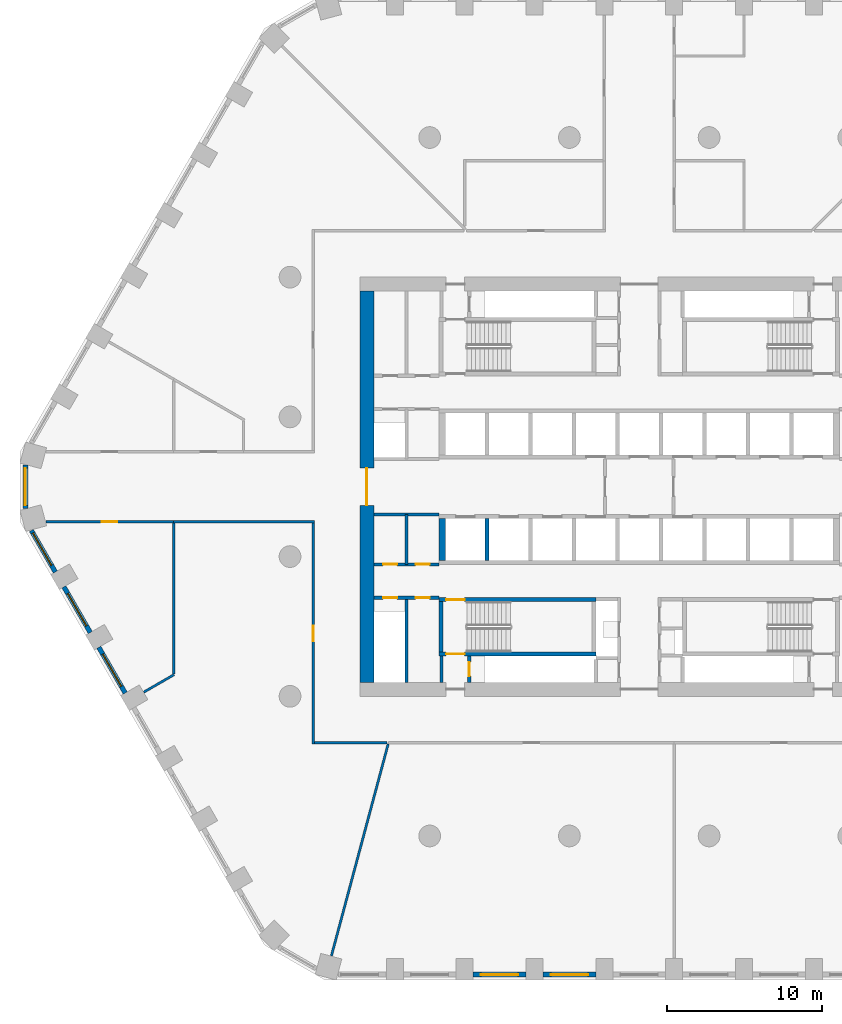
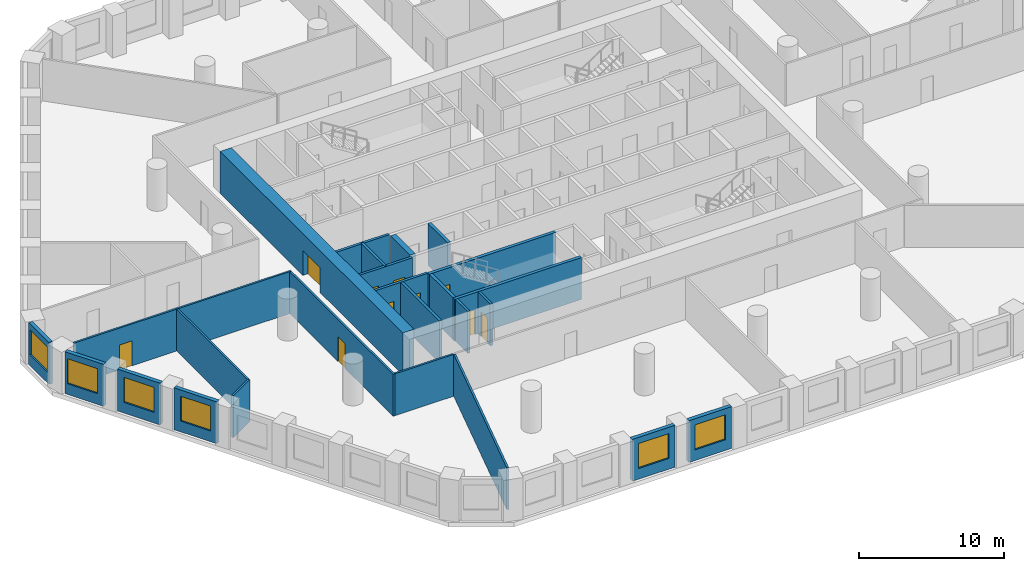
# One storey, part 2 of 10: 26 walls, 10 doors, 6 windows, 16 openings.
"""IFC4 building model written with IfcOpenShell, lengths in metres."""

from ifc_helpers import new_model, si_unit, direction, frame, frame_2d, origin, place, context, subcontext, project, spatial, polyline, rectangle, outline, extrude, material, layer, layer_set, type_object, element, fill, save


model = new_model("IFC4")

# Units and contexts
model_context = context("Model", 3, precision=1e-05, world=origin(), true_north=direction((0.0, 1.0)))
body_context = subcontext(model_context, "Body", "Model", "MODEL_VIEW")
ifc_project = project(units=[si_unit("LENGTHUNIT", "METRE"), si_unit("AREAUNIT", "SQUARE_METRE"), si_unit("VOLUMEUNIT", "CUBIC_METRE"), si_unit("PLANEANGLEUNIT", "RADIAN"), si_unit("MASSUNIT", "GRAM", prefix="KILO")], contexts=[model_context])

# Site, building, storey
site_placement = place(None, origin())
site = spatial("IfcSite", under=ifc_project, at=site_placement, CompositionType="ELEMENT")
building_placement = place(site_placement, origin())
building = spatial("IfcBuilding", under=site, at=building_placement, Name="Dhurran Vertical Campus", CompositionType="ELEMENT")
storey_placement = place(building_placement, frame((0.0, 0.0, 57.300048828125)))
storey = spatial("IfcBuildingStorey", under=building, at=storey_placement, Name="L13", CompositionType="ELEMENT", Elevation=57.300048828125)

# Wall, opening, window
ifc_material_1 = material(Name="Precast concrete C50/60", Category="concrete")
ifc_layer_1 = layer(ifc_material_1, 0.300048828125)
ifc_layer_set_1 = layer_set([ifc_layer_1], Name="Precast concrete C50/60")
wall_type_1 = type_object("IfcWallType", Name="Precast spandrel wall 300", PredefinedType="SOLIDWALL", material=ifc_layer_set_1)
wall_1_placement = place(storey_placement, frame((-10.699462890625, -31.4296875, 0.0), z_axis=(0.0, 0.0, 1.0), x_axis=(1.0, 0.0, 0.0)))
wall_1 = element("IfcWall", 1, at=wall_1_placement, inside=storey, type_object=wall_type_1, Name="EW1 L13.02", PredefinedType="SOLIDWALL", context=body_context, shape_type="SweptSolid", body=[
    extrude(rectangle(XDim=3.39892578125, YDim=0.300048828125, at=frame_2d((1.699462890625, 0.0))), origin(), (0.0, 0.0, 1.0), 3.52490234375),
])
opening_1_placement = place(wall_1_placement, frame((0.49951171875, 0.0, 0.89990234375)))
opening_1 = element("IfcOpeningElement", 2, at=opening_1_placement, cuts=wall_1, Name="Opening WT1", PredefinedType="OPENING", context=body_context, shape_type="SweptSolid", body=[
    extrude(rectangle(XDim=2.39990234375, YDim=2.10009765625, at=frame_2d((1.199951171875, 1.050048828125))), frame((0.0, 0.159912109375, 0.0), z_axis=(0.0, -1.0, 0.0), x_axis=(1.0, 0.0, 0.0)), (0.0, 0.0, 1.0), 0.320068359375),
])
ifc_material_2 = material(Name="Aluminium frame with solar-control glass", Category="aluminium")
window_type = type_object("IfcWindowType", Name="Punched window 2400 x 2100", PartitioningType="SINGLE_PANEL", PredefinedType="WINDOW", material=ifc_material_2)
window_1_placement = place(opening_1_placement, origin())
window_1 = element("IfcWindow", 3, at=window_1_placement, inside=storey, type_object=window_type, Name="WT1 L13.02", OverallHeight=2.10009765625, OverallWidth=2.39990234375, PartitioningType="SINGLE_PANEL", PredefinedType="WINDOW", context=body_context, shape_type="SweptSolid", body=[
    extrude(rectangle(XDim=2.39990234375, YDim=2.10009765625, at=frame_2d((1.199951171875, 1.050048828125))), frame((0.0, 0.030029296875, 0.0), z_axis=(0.0, -1.0, 0.0), x_axis=(1.0, 0.0, 0.0)), (0.0, 0.0, 1.0), 0.06005859375),
])
fill(opening_1, window_1)

wall_2_placement = place(storey_placement, frame((-6.199462890625, -31.4296875, 0.0), z_axis=(0.0, 0.0, 1.0), x_axis=(1.0, 0.0, 0.0)))
wall_2 = element("IfcWall", 4, at=wall_2_placement, inside=storey, type_object=wall_type_1, Name="EW1 L13.03", PredefinedType="SOLIDWALL", context=body_context, shape_type="SweptSolid", body=[
    extrude(rectangle(XDim=3.39892578125, YDim=0.300048828125, at=frame_2d((1.699462890625, 0.0))), origin(), (0.0, 0.0, 1.0), 3.52490234375),
])
opening_2_placement = place(wall_2_placement, frame((0.49951171875, 0.0, 0.89990234375)))
opening_2 = element("IfcOpeningElement", 5, at=opening_2_placement, cuts=wall_2, Name="Opening WT1", PredefinedType="OPENING", context=body_context, shape_type="SweptSolid", body=[
    extrude(rectangle(XDim=2.39990234375, YDim=2.10009765625, at=frame_2d((1.199951171875, 1.050048828125))), frame((0.0, 0.159912109375, 0.0), z_axis=(0.0, -1.0, 0.0), x_axis=(1.0, 0.0, 0.0)), (0.0, 0.0, 1.0), 0.320068359375),
])
window_2_placement = place(opening_2_placement, origin())
window_2 = element("IfcWindow", 6, at=window_2_placement, inside=storey, type_object=window_type, Name="WT1 L13.03", OverallHeight=2.10009765625, OverallWidth=2.39990234375, PartitioningType="SINGLE_PANEL", PredefinedType="WINDOW", context=body_context, shape_type="SweptSolid", body=[
    extrude(rectangle(XDim=2.39990234375, YDim=2.10009765625, at=frame_2d((1.199951171875, 1.050048828125))), frame((0.0, 0.030029296875, 0.0), z_axis=(0.0, -1.0, 0.0), x_axis=(1.0, 0.0, 0.0)), (0.0, 0.0, 1.0), 0.06005859375),
])
fill(opening_2, window_2)

wall_3_placement = place(storey_placement, frame((-39.547119140625, 1.39111328125, 0.0), z_axis=(0.0, 0.0, 1.0), x_axis=(0.0, -1.0, 0.0)))
wall_3 = element("IfcWall", 7, at=wall_3_placement, inside=storey, type_object=wall_type_1, Name="EW1 L13.43", PredefinedType="SOLIDWALL", context=body_context, shape_type="SweptSolid", body=[
    extrude(rectangle(XDim=2.7822265625, YDim=0.300048828125, at=frame_2d((1.39111328125, 0.0))), origin(), (0.0, 0.0, 1.0), 3.52490234375),
])
opening_3_placement = place(wall_3_placement, frame((0.191162109375, 0.0, 0.89990234375)))
opening_3 = element("IfcOpeningElement", 8, at=opening_3_placement, cuts=wall_3, Name="Opening WT1", PredefinedType="OPENING", context=body_context, shape_type="SweptSolid", body=[
    extrude(rectangle(XDim=2.39990234375, YDim=2.10009765625, at=frame_2d((1.199951171875, 1.050048828125))), frame((0.0, 0.159912109375, 0.0), z_axis=(0.0, -1.0, 0.0), x_axis=(1.0, 0.0, 0.0)), (0.0, 0.0, 1.0), 0.320068359375),
])
window_3_placement = place(opening_3_placement, origin())
window_3 = element("IfcWindow", 9, at=window_3_placement, inside=storey, type_object=window_type, Name="WT1 L13.43", OverallHeight=2.10009765625, OverallWidth=2.39990234375, PartitioningType="SINGLE_PANEL", PredefinedType="WINDOW", context=body_context, shape_type="SweptSolid", body=[
    extrude(rectangle(XDim=2.39990234375, YDim=2.10009765625, at=frame_2d((1.199951171875, 1.050048828125))), frame((0.0, 0.030029296875, 0.0), z_axis=(0.0, -1.0, 0.0), x_axis=(1.0, 0.0, 0.0)), (0.0, 0.0, 1.0), 0.06005859375),
])
fill(opening_3, window_3)

wall_4_placement = place(storey_placement, frame((-39.16455078125, -2.81884765625, 0.0), z_axis=(0.0, 0.0, 1.0), x_axis=(0.49997090907, -0.866042198789, 0.0)))
wall_4 = element("IfcWall", 10, at=wall_4_placement, inside=storey, type_object=wall_type_1, Name="EW1 L13.44", PredefinedType="SOLIDWALL", context=body_context, shape_type="SweptSolid", body=[
    extrude(rectangle(XDim=3.090576171875, YDim=0.300048828125, at=frame_2d((1.54541015625, 0.0))), origin(), (0.0, 0.0, 1.0), 3.52490234375),
])
opening_4_placement = place(wall_4_placement, frame((0.19091796875, 0.0, 0.89990234375)))
opening_4 = element("IfcOpeningElement", 11, at=opening_4_placement, cuts=wall_4, Name="Opening WT1", PredefinedType="OPENING", context=body_context, shape_type="SweptSolid", body=[
    extrude(rectangle(XDim=2.39990234375, YDim=2.10009765625, at=frame_2d((1.199951171875, 1.050048828125))), frame((0.0, 0.159912109375, 0.0), z_axis=(0.0, -1.0, 0.0), x_axis=(1.0, 0.0, 0.0)), (0.0, 0.0, 1.0), 0.320068359375),
])
window_4_placement = place(opening_4_placement, origin())
window_4 = element("IfcWindow", 12, at=window_4_placement, inside=storey, type_object=window_type, Name="WT1 L13.44", OverallHeight=2.10009765625, OverallWidth=2.39990234375, PartitioningType="SINGLE_PANEL", PredefinedType="WINDOW", context=body_context, shape_type="SweptSolid", body=[
    extrude(rectangle(XDim=2.39990234375, YDim=2.10009765625, at=frame_2d((1.199951171875, 1.050048828125))), frame((0.0, 0.030029296875, 0.0), z_axis=(0.0, -1.0, 0.0), x_axis=(1.0, 0.0, 0.0)), (0.0, 0.0, 1.0), 0.06005859375),
])
fill(opening_4, window_4)

wall_5_placement = place(storey_placement, frame((-37.06884765625, -6.448974609375, 0.0), z_axis=(0.0, 0.0, 1.0), x_axis=(0.499993955907, -0.866028893315, 0.0)))
wall_5 = element("IfcWall", 13, at=wall_5_placement, inside=storey, type_object=wall_type_1, Name="EW1 L13.45", PredefinedType="SOLIDWALL", context=body_context, shape_type="SweptSolid", body=[
    extrude(rectangle(XDim=3.39892578125, YDim=0.300048828125, at=frame_2d((1.699462890625, 0.0))), origin(), (0.0, 0.0, 1.0), 3.52490234375),
])
opening_5_placement = place(wall_5_placement, frame((0.49951171875, 0.0, 0.89990234375)))
opening_5 = element("IfcOpeningElement", 14, at=opening_5_placement, cuts=wall_5, Name="Opening WT1", PredefinedType="OPENING", context=body_context, shape_type="SweptSolid", body=[
    extrude(rectangle(XDim=2.39990234375, YDim=2.10009765625, at=frame_2d((1.199951171875, 1.050048828125))), frame((0.0, 0.159912109375, 0.0), z_axis=(0.0, -1.0, 0.0), x_axis=(1.0, 0.0, 0.0)), (0.0, 0.0, 1.0), 0.320068359375),
])
window_5_placement = place(opening_5_placement, origin())
window_5 = element("IfcWindow", 15, at=window_5_placement, inside=storey, type_object=window_type, Name="WT1 L13.45", OverallHeight=2.10009765625, OverallWidth=2.39990234375, PartitioningType="SINGLE_PANEL", PredefinedType="WINDOW", context=body_context, shape_type="SweptSolid", body=[
    extrude(rectangle(XDim=2.39990234375, YDim=2.10009765625, at=frame_2d((1.199951171875, 1.050048828125))), frame((0.0, 0.030029296875, 0.0), z_axis=(0.0, -1.0, 0.0), x_axis=(1.0, 0.0, 0.0)), (0.0, 0.0, 1.0), 0.06005859375),
])
fill(opening_5, window_5)

wall_6_placement = place(storey_placement, frame((-34.81884765625, -10.345947265625, 0.0), z_axis=(0.0, 0.0, 1.0), x_axis=(0.499993955907, -0.866028893315, 0.0)))
wall_6 = element("IfcWall", 16, at=wall_6_placement, inside=storey, type_object=wall_type_1, Name="EW1 L13.46", PredefinedType="SOLIDWALL", context=body_context, shape_type="SweptSolid", body=[
    extrude(rectangle(XDim=3.39892578125, YDim=0.300048828125, at=frame_2d((1.699462890625, 0.0))), origin(), (0.0, 0.0, 1.0), 3.52490234375),
])
opening_6_placement = place(wall_6_placement, frame((0.49951171875, 0.0, 0.89990234375)))
opening_6 = element("IfcOpeningElement", 17, at=opening_6_placement, cuts=wall_6, Name="Opening WT1", PredefinedType="OPENING", context=body_context, shape_type="SweptSolid", body=[
    extrude(rectangle(XDim=2.39990234375, YDim=2.10009765625, at=frame_2d((1.199951171875, 1.050048828125))), frame((0.0, 0.159912109375, 0.0), z_axis=(0.0, -1.0, 0.0), x_axis=(1.0, 0.0, 0.0)), (0.0, 0.0, 1.0), 0.320068359375),
])
window_6_placement = place(opening_6_placement, origin())
window_6 = element("IfcWindow", 18, at=window_6_placement, inside=storey, type_object=window_type, Name="WT1 L13.46", OverallHeight=2.10009765625, OverallWidth=2.39990234375, PartitioningType="SINGLE_PANEL", PredefinedType="WINDOW", context=body_context, shape_type="SweptSolid", body=[
    extrude(rectangle(XDim=2.39990234375, YDim=2.10009765625, at=frame_2d((1.199951171875, 1.050048828125))), frame((0.0, 0.030029296875, 0.0), z_axis=(0.0, -1.0, 0.0), x_axis=(1.0, 0.0, 0.0)), (0.0, 0.0, 1.0), 0.06005859375),
])
fill(opening_6, window_6)

# Wall, opening, door
ifc_material_3 = material(Name="Concrete C60/75", Category="concrete")
ifc_layer_2 = layer(ifc_material_3, 0.89990234375)
ifc_layer_set_2 = layer_set([ifc_layer_2], Name="Concrete C60/75")
wall_type_2 = type_object("IfcWallType", Name="co-CORE-WALL-C0-900", PredefinedType="SHEAR", material=ifc_layer_set_2)
wall_7_placement = place(storey_placement, frame((-17.550048828125, -12.60009765625, 0.0), z_axis=(0.0, 0.0, 1.0), x_axis=(0.0, 1.0, 0.0)))
wall_7 = element("IfcWall", 19, at=wall_7_placement, inside=storey, type_object=wall_type_2, Name="Core wall W L13", PredefinedType="SHEAR", context=body_context, shape_type="SweptSolid", body=[
    extrude(rectangle(XDim=25.2001953125, YDim=0.89990234375, at=frame_2d((12.60009765625, 0.0))), origin(), (0.0, 0.0, 1.0), 3.52490234375),
])
opening_7_placement = place(wall_7_placement, frame((11.39990234375, 0.0, 0.0)))
opening_7 = element("IfcOpeningElement", 20, at=opening_7_placement, cuts=wall_7, Name="Opening CL1", PredefinedType="OPENING", context=body_context, shape_type="SweptSolid", body=[
    extrude(rectangle(XDim=2.39990234375, YDim=2.10009765625, at=frame_2d((1.199951171875, 1.050048828125))), frame((0.0, 0.4599609375, 0.0), z_axis=(0.0, -1.0, 0.0), x_axis=(1.0, 0.0, 0.0)), (0.0, 0.0, 1.0), 0.919921875),
])
ifc_material_4 = material(Name="Fire-rated glazed door set")
door_type_1 = type_object("IfcDoorType", Name="co-D-LOBBY 2400x2100", OperationType="DOUBLE_DOOR_DOUBLE_SWING", PredefinedType="DOOR", material=ifc_material_4)
door_1_placement = place(opening_7_placement, origin())
door_1 = element("IfcDoor", 21, at=door_1_placement, inside=storey, type_object=door_type_1, Name="Lift lobby door W L13", OperationType="DOUBLE_DOOR_DOUBLE_SWING", OverallHeight=2.10009765625, OverallWidth=2.39990234375, PredefinedType="DOOR", context=body_context, shape_type="SweptSolid", body=[
    extrude(rectangle(XDim=2.39990234375, YDim=2.10009765625, at=frame_2d((1.199951171875, 1.050048828125))), frame((0.0, 0.02490234375, 0.0), z_axis=(0.0, -1.0, 0.0), x_axis=(1.0, 0.0, 0.0)), (0.0, 0.0, 1.0), 0.050048828125),
])
fill(opening_7, door_1)

# Wall
ifc_material_5 = material(Name="Fire-rated masonry blockwork", Category="masonry")
ifc_layer_3 = layer(ifc_material_5, 0.199951171875)
ifc_layer_set_3 = layer_set([ifc_layer_3], Name="Fire-rated masonry blockwork")
wall_type_3 = type_object("IfcWallType", Name="co-FIRE-PARTITION-200", PredefinedType="PARTITIONING", material=ifc_layer_set_3)
wall_8_placement = place(storey_placement, frame((-12.75, -12.60009765625, 0.0), z_axis=(0.0, 0.0, 1.0), x_axis=(0.0, 1.0, 0.0)))
element("IfcWall", 22, at=wall_8_placement, inside=storey, type_object=wall_type_3, Name="Core partition pass-ST3-o L13", PredefinedType="PARTITIONING", context=body_context, shape_type="SweptSolid", body=[
    extrude(rectangle(XDim=1.7001953125, YDim=0.199951171875, at=frame_2d((0.85009765625, 0.0))), origin(), (0.0, 0.0, 1.0), 3.52490234375),
])

# Wall, opening, door
wall_9_placement = place(storey_placement, frame((-10.949951171875, -12.60009765625, 0.0), z_axis=(0.0, 0.0, 1.0), x_axis=(0.0, 1.0, 0.0)))
wall_9 = element("IfcWall", 23, at=wall_9_placement, inside=storey, type_object=wall_type_3, Name="Core partition pass-ST3-i L13", PredefinedType="PARTITIONING", context=body_context, shape_type="SweptSolid", body=[
    extrude(rectangle(XDim=1.7001953125, YDim=0.199951171875, at=frame_2d((0.85009765625, 0.0))), origin(), (0.0, 0.0, 1.0), 3.52490234375),
])
opening_8_placement = place(wall_9_placement, frame((0.39990234375, 0.0, 0.0)))
opening_8 = element("IfcOpeningElement", 24, at=opening_8_placement, cuts=wall_9, Name="Opening T03-C12", PredefinedType="OPENING", context=body_context, shape_type="SweptSolid", body=[
    extrude(rectangle(XDim=0.89990234375, YDim=2.10009765625, at=frame_2d((0.449951171875, 1.050048828125))), frame((0.0, 0.10986328125, 0.0), z_axis=(0.0, -1.0, 0.0), x_axis=(1.0, 0.0, 0.0)), (0.0, 0.0, 1.0), 0.219970703125),
])
ifc_material_6 = material(Name="Fire-rated timber door set", Category="wood")
door_type_2 = type_object("IfcDoorType", Name="co-D-ROOM 900x2100", OperationType="SINGLE_SWING_LEFT", PredefinedType="DOOR", material=ifc_material_6)
door_2_placement = place(opening_8_placement, origin())
door_2 = element("IfcDoor", 25, at=door_2_placement, inside=storey, type_object=door_type_2, Name="Riser room door L13", OperationType="SINGLE_SWING_LEFT", OverallHeight=2.10009765625, OverallWidth=0.89990234375, PredefinedType="DOOR", context=body_context, shape_type="SweptSolid", body=[
    extrude(rectangle(XDim=0.89990234375, YDim=2.10009765625, at=frame_2d((0.449951171875, 1.050048828125))), frame((0.0, 0.02490234375, 0.0), z_axis=(0.0, -1.0, 0.0), x_axis=(1.0, 0.0, 0.0)), (0.0, 0.0, 1.0), 0.050048828125),
])
fill(opening_8, door_2)

# Wall
wall_10_placement = place(storey_placement, frame((-15.0, -12.60009765625, 0.0), z_axis=(0.0, 0.0, 1.0), x_axis=(0.0, 1.0, 0.0)))
element("IfcWall", 26, at=wall_10_placement, inside=storey, type_object=wall_type_3, Name="Core partition en-SW-cut0 L13", PredefinedType="PARTITIONING", context=body_context, shape_type="SweptSolid", body=[
    extrude(rectangle(XDim=5.4501953125, YDim=0.199951171875, at=frame_2d((2.72509765625, 0.0))), origin(), (0.0, 0.0, 1.0), 3.52490234375),
])

# Wall, openings, doors
wall_11_placement = place(storey_placement, frame((-17.10009765625, -7.14990234375, 0.0), z_axis=(0.0, 0.0, 1.0), x_axis=(1.0, 0.0, 0.0)))
wall_11 = element("IfcWall", 27, at=wall_11_placement, inside=storey, type_object=wall_type_3, Name="Core partition en-SW-w L13", PredefinedType="PARTITIONING", context=body_context, shape_type="SweptSolid", body=[
    extrude(rectangle(XDim=4.2001953125, YDim=0.199951171875, at=frame_2d((2.10009765625, 0.0))), origin(), (0.0, 0.0, 1.0), 3.52490234375),
])
opening_9_placement = place(wall_11_placement, frame((0.60009765625, 0.0, 0.0)))
opening_9 = element("IfcOpeningElement", 28, at=opening_9_placement, cuts=wall_11, Name="Opening T03-C21", PredefinedType="OPENING", context=body_context, shape_type="SweptSolid", body=[
    extrude(rectangle(XDim=0.89990234375, YDim=2.10009765625, at=frame_2d((0.449951171875, 1.050048828125))), frame((0.0, 0.10986328125, 0.0), z_axis=(0.0, -1.0, 0.0), x_axis=(1.0, 0.0, 0.0)), (0.0, 0.0, 1.0), 0.219970703125),
])
opening_10_placement = place(wall_11_placement, frame((2.699951171875, 0.0, 0.0)))
opening_10 = element("IfcOpeningElement", 29, at=opening_10_placement, cuts=wall_11, Name="Opening T03-C22", PredefinedType="OPENING", context=body_context, shape_type="SweptSolid", body=[
    extrude(rectangle(XDim=0.89990234375, YDim=2.10009765625, at=frame_2d((0.449951171875, 1.050048828125))), frame((0.0, 0.10986328125, 0.0), z_axis=(0.0, -1.0, 0.0), x_axis=(1.0, 0.0, 0.0)), (0.0, 0.0, 1.0), 0.219970703125),
])
door_3_placement = place(opening_9_placement, origin())
door_3 = element("IfcDoor", 30, at=door_3_placement, inside=storey, type_object=door_type_2, Name="Electrical riser door L13", OperationType="SINGLE_SWING_LEFT", OverallHeight=2.10009765625, OverallWidth=0.89990234375, PredefinedType="DOOR", context=body_context, shape_type="SweptSolid", body=[
    extrude(rectangle(XDim=0.89990234375, YDim=2.10009765625, at=frame_2d((0.449951171875, 1.050048828125))), frame((0.0, 0.02490234375, 0.0), z_axis=(0.0, -1.0, 0.0), x_axis=(1.0, 0.0, 0.0)), (0.0, 0.0, 1.0), 0.050048828125),
])
fill(opening_9, door_3)
door_4_placement = place(opening_10_placement, origin())
door_4 = element("IfcDoor", 31, at=door_4_placement, inside=storey, type_object=door_type_2, Name="Waste room door L13", OperationType="SINGLE_SWING_LEFT", OverallHeight=2.10009765625, OverallWidth=0.89990234375, PredefinedType="DOOR", context=body_context, shape_type="SweptSolid", body=[
    extrude(rectangle(XDim=0.89990234375, YDim=2.10009765625, at=frame_2d((0.449951171875, 1.050048828125))), frame((0.0, 0.02490234375, 0.0), z_axis=(0.0, -1.0, 0.0), x_axis=(1.0, 0.0, 0.0)), (0.0, 0.0, 1.0), 0.050048828125),
])
fill(opening_10, door_4)

# Wall
wall_12_placement = place(storey_placement, frame((-15.0, -5.0, 0.0), z_axis=(0.0, 0.0, 1.0), x_axis=(0.0, 1.0, 0.0)))
element("IfcWall", 32, at=wall_12_placement, inside=storey, type_object=wall_type_3, Name="Core partition es-SW-cut0 L13", PredefinedType="PARTITIONING", context=body_context, shape_type="SweptSolid", body=[
    extrude(rectangle(XDim=3.199951171875, YDim=0.199951171875, at=frame_2d((1.60009765625, 0.0))), origin(), (0.0, 0.0, 1.0), 3.52490234375),
])

# Wall, openings, doors
wall_13_placement = place(storey_placement, frame((-17.10009765625, -5.0, 0.0), z_axis=(0.0, 0.0, 1.0), x_axis=(1.0, 0.0, 0.0)))
wall_13 = element("IfcWall", 33, at=wall_13_placement, inside=storey, type_object=wall_type_3, Name="Core partition es-SW-w L13", PredefinedType="PARTITIONING", context=body_context, shape_type="SweptSolid", body=[
    extrude(rectangle(XDim=4.2001953125, YDim=0.199951171875, at=frame_2d((2.10009765625, 0.0))), origin(), (0.0, 0.0, 1.0), 3.52490234375),
])
opening_11_placement = place(wall_13_placement, frame((0.60009765625, 0.0, 0.0)))
opening_11 = element("IfcOpeningElement", 34, at=opening_11_placement, cuts=wall_13, Name="Opening T03-C23", PredefinedType="OPENING", context=body_context, shape_type="SweptSolid", body=[
    extrude(rectangle(XDim=0.89990234375, YDim=2.10009765625, at=frame_2d((0.449951171875, 1.050048828125))), frame((0.0, 0.10986328125, 0.0), z_axis=(0.0, -1.0, 0.0), x_axis=(1.0, 0.0, 0.0)), (0.0, 0.0, 1.0), 0.219970703125),
])
opening_12_placement = place(wall_13_placement, frame((2.699951171875, 0.0, 0.0)))
opening_12 = element("IfcOpeningElement", 35, at=opening_12_placement, cuts=wall_13, Name="Opening T03-C24", PredefinedType="OPENING", context=body_context, shape_type="SweptSolid", body=[
    extrude(rectangle(XDim=0.89990234375, YDim=2.10009765625, at=frame_2d((0.449951171875, 1.050048828125))), frame((0.0, 0.10986328125, 0.0), z_axis=(0.0, -1.0, 0.0), x_axis=(1.0, 0.0, 0.0)), (0.0, 0.0, 1.0), 0.219970703125),
])
door_5_placement = place(opening_11_placement, origin())
door_5 = element("IfcDoor", 36, at=door_5_placement, inside=storey, type_object=door_type_2, Name="Plant room door L13", OperationType="SINGLE_SWING_LEFT", OverallHeight=2.10009765625, OverallWidth=0.89990234375, PredefinedType="DOOR", context=body_context, shape_type="SweptSolid", body=[
    extrude(rectangle(XDim=0.89990234375, YDim=2.10009765625, at=frame_2d((0.449951171875, 1.050048828125))), frame((0.0, 0.02490234375, 0.0), z_axis=(0.0, -1.0, 0.0), x_axis=(1.0, 0.0, 0.0)), (0.0, 0.0, 1.0), 0.050048828125),
])
fill(opening_11, door_5)
door_6_placement = place(opening_12_placement, origin())
door_6 = element("IfcDoor", 37, at=door_6_placement, inside=storey, type_object=door_type_2, Name="Plant room door L13", OperationType="SINGLE_SWING_LEFT", OverallHeight=2.10009765625, OverallWidth=0.89990234375, PredefinedType="DOOR", context=body_context, shape_type="SweptSolid", body=[
    extrude(rectangle(XDim=0.89990234375, YDim=2.10009765625, at=frame_2d((0.449951171875, 1.050048828125))), frame((0.0, 0.02490234375, 0.0), z_axis=(0.0, -1.0, 0.0), x_axis=(1.0, 0.0, 0.0)), (0.0, 0.0, 1.0), 0.050048828125),
])
fill(opening_12, door_6)

# Walls
wall_14_placement = place(storey_placement, frame((-17.10009765625, -1.800048828125, 0.0), z_axis=(0.0, 0.0, 1.0), x_axis=(1.0, 0.0, 0.0)))
element("IfcWall", 38, at=wall_14_placement, inside=storey, type_object=wall_type_3, Name="Core partition es-SW-l L13", PredefinedType="PARTITIONING", context=body_context, shape_type="SweptSolid", body=[
    extrude(rectangle(XDim=4.2001953125, YDim=0.199951171875, at=frame_2d((2.10009765625, 0.0))), origin(), (0.0, 0.0, 1.0), 3.52490234375),
])
ifc_material_7 = material(Name="Concrete C50/60", Category="concrete")
ifc_layer_4 = layer(ifc_material_7, 0.25)
ifc_layer_set_4 = layer_set([ifc_layer_4], Name="Concrete C50/60")
wall_type_4 = type_object("IfcWallType", Name="co-SHAFT-MASS-250", PredefinedType="SHEAR", material=ifc_layer_set_4)
wall_15_placement = place(storey_placement, origin())
element("IfcWall", 39, at=wall_15_placement, inside=storey, type_object=wall_type_4, Name="Lift shaft wall S L13 2", PredefinedType="SHEAR", context=body_context, shape_type="SweptSolid", body=[
    extrude(outline(polyline([(-12.89990234375, -4.75), (-12.47509765625, -4.75), (-12.47509765625, -2.050048828125), (-12.89990234375, -2.050048828125), (-12.89990234375, -4.75)])), origin(), (0.0, 0.0, 1.0), 3.52490234375),
])
wall_16_placement = place(storey_placement, origin())
element("IfcWall", 40, at=wall_16_placement, inside=storey, type_object=wall_type_4, Name="Lift shaft wall S L13 3", PredefinedType="SHEAR", context=body_context, shape_type="SweptSolid", body=[
    extrude(outline(polyline([(-9.925048828125, -4.75), (-9.675048828125, -4.75), (-9.675048828125, -2.050048828125), (-9.925048828125, -2.050048828125), (-9.925048828125, -4.75)])), origin(), (0.0, 0.0, 1.0), 3.52490234375),
])

# Wall, opening, door
ifc_material_8 = material(Name="Concrete C40/50", Category="concrete")
ifc_layer_5 = layer(ifc_material_8, 0.25)
ifc_layer_set_5 = layer_set([ifc_layer_5], Name="Concrete C40/50")
wall_type_5 = type_object("IfcWallType", Name="co-STAIR-WALL-250", PredefinedType="SHEAR", material=ifc_layer_set_5)
wall_17_placement = place(storey_placement, frame((-12.89990234375, -10.77490234375, 0.0), z_axis=(0.0, 0.0, 1.0), x_axis=(1.0, 0.0, 0.0)))
wall_17 = element("IfcWall", 41, at=wall_17_placement, inside=storey, type_object=wall_type_5, Name="Stair ST3 enclosure wall L13", PredefinedType="SHEAR", context=body_context, shape_type="SweptSolid", body=[
    extrude(rectangle(XDim=10.099853515625, YDim=0.25, at=frame_2d((5.0498046875, 0.0))), origin(), (0.0, 0.0, 1.0), 3.52490234375),
])
opening_13_placement = place(wall_17_placement, frame((0.449951171875, 0.0, 0.0)))
opening_13 = element("IfcOpeningElement", 42, at=opening_13_placement, cuts=wall_17, Name="Opening XS3", PredefinedType="OPENING", context=body_context, shape_type="SweptSolid", body=[
    extrude(rectangle(XDim=1.199951171875, YDim=2.10009765625, at=frame_2d((0.60009765625, 1.050048828125))), frame((0.0, 0.135009765625, 0.0), z_axis=(0.0, -1.0, 0.0), x_axis=(1.0, 0.0, 0.0)), (0.0, 0.0, 1.0), 0.27001953125),
])
ifc_material_9 = material(Name="Fire-rated steel door set", Category="steel")
door_type_3 = type_object("IfcDoorType", Name="co-D-STAIR-EXIT 1200x2100", OperationType="SINGLE_SWING_RIGHT", PredefinedType="DOOR", material=ifc_material_9)
door_7_placement = place(opening_13_placement, origin())
door_7 = element("IfcDoor", 43, at=door_7_placement, inside=storey, type_object=door_type_3, Name="Stair ST3 discharge door L13", OperationType="SINGLE_SWING_RIGHT", OverallHeight=2.10009765625, OverallWidth=1.199951171875, PredefinedType="DOOR", context=body_context, shape_type="SweptSolid", body=[
    extrude(rectangle(XDim=1.199951171875, YDim=2.10009765625, at=frame_2d((0.60009765625, 1.050048828125))), frame((0.0, 0.02490234375, 0.0), z_axis=(0.0, -1.0, 0.0), x_axis=(1.0, 0.0, 0.0)), (0.0, 0.0, 1.0), 0.050048828125),
])
fill(opening_13, door_7)

wall_18_placement = place(storey_placement, frame((-12.89990234375, -7.27490234375, 0.0), z_axis=(0.0, 0.0, 1.0), x_axis=(1.0, 0.0, 0.0)))
wall_18 = element("IfcWall", 44, at=wall_18_placement, inside=storey, type_object=wall_type_5, Name="Stair ST3 enclosure wall L13", PredefinedType="SHEAR", context=body_context, shape_type="SweptSolid", body=[
    extrude(rectangle(XDim=10.099853515625, YDim=0.25, at=frame_2d((5.0498046875, 0.0))), origin(), (0.0, 0.0, 1.0), 3.52490234375),
])
opening_14_placement = place(wall_18_placement, frame((0.449951171875, 0.0, 0.0)))
opening_14 = element("IfcOpeningElement", 45, at=opening_14_placement, cuts=wall_18, Name="Opening SD3", PredefinedType="OPENING", context=body_context, shape_type="SweptSolid", body=[
    extrude(rectangle(XDim=1.199951171875, YDim=2.10009765625, at=frame_2d((0.60009765625, 1.050048828125))), frame((0.0, 0.135009765625, 0.0), z_axis=(0.0, -1.0, 0.0), x_axis=(1.0, 0.0, 0.0)), (0.0, 0.0, 1.0), 0.27001953125),
])
ifc_material_10 = material(Name="Fire-rated steel door set", Category="steel")
door_type_4 = type_object("IfcDoorType", Name="co-D-STAIR 1200x2100", OperationType="SINGLE_SWING_LEFT", PredefinedType="DOOR", material=ifc_material_10)
door_8_placement = place(opening_14_placement, origin())
door_8 = element("IfcDoor", 46, at=door_8_placement, inside=storey, type_object=door_type_4, Name="Stair ST3 door L13", OperationType="SINGLE_SWING_LEFT", OverallHeight=2.10009765625, OverallWidth=1.199951171875, PredefinedType="DOOR", context=body_context, shape_type="SweptSolid", body=[
    extrude(rectangle(XDim=1.199951171875, YDim=2.10009765625, at=frame_2d((0.60009765625, 1.050048828125))), frame((0.0, 0.02490234375, 0.0), z_axis=(0.0, -1.0, 0.0), x_axis=(1.0, 0.0, 0.0)), (0.0, 0.0, 1.0), 0.050048828125),
])
fill(opening_14, door_8)

# Wall
wall_19_placement = place(storey_placement, frame((-12.77490234375, -10.64990234375, 0.0), z_axis=(0.0, 0.0, 1.0), x_axis=(0.0, 1.0, 0.0)))
element("IfcWall", 47, at=wall_19_placement, inside=storey, type_object=wall_type_5, Name="Stair ST3 enclosure wall L13", PredefinedType="SHEAR", context=body_context, shape_type="SweptSolid", body=[
    extrude(rectangle(XDim=3.25, YDim=0.25, at=frame_2d((1.625, 0.0))), origin(), (0.0, 0.0, 1.0), 3.52490234375),
])

# Wall, opening, door
ifc_material_11 = material(Name="Gypsum board corridor wall on steel studs", Category="steel")
ifc_layer_6 = layer(ifc_material_11, 0.14990234375)
ifc_layer_set_6 = layer_set([ifc_layer_6], Name="Gypsum board corridor wall on steel studs")
wall_type_6 = type_object("IfcWallType", Name="fl-CW-150 corridor wall", PredefinedType="PARTITIONING", material=ifc_layer_set_6)
wall_20_placement = place(storey_placement, frame((-30.0, -2.25, 0.0), z_axis=(0.0, 0.0, 1.0), x_axis=(-1.0, 0.0, 0.0)))
wall_20 = element("IfcWall", 48, at=wall_20_placement, inside=storey, type_object=wall_type_6, Name="Partition 13-01", PredefinedType="PARTITIONING", context=body_context, shape_type="SweptSolid", body=[
    extrude(rectangle(XDim=8.23291015625, YDim=0.14990234375, at=frame_2d((4.116455078125, 0.0))), origin(), (0.0, 0.0, 1.0), 3.52490234375),
])
opening_15_placement = place(wall_20_placement, frame((3.616455078125, 0.0, 0.0)))
opening_15 = element("IfcOpeningElement", 49, at=opening_15_placement, cuts=wall_20, Name="Opening T03.02", PredefinedType="OPENING", context=body_context, shape_type="SweptSolid", body=[
    extrude(rectangle(XDim=1.0, YDim=2.10009765625, at=frame_2d((0.5, 1.050048828125))), frame((0.0, 0.0849609375, 0.0), z_axis=(0.0, -1.0, 0.0), x_axis=(1.0, 0.0, 0.0)), (0.0, 0.0, 1.0), 0.169921875),
])
ifc_material_12 = material(Name="Solid-core timber door set, fire-rated", Category="wood")
door_type_5 = type_object("IfcDoorType", Name="fl-D-1000x2100", OperationType="SINGLE_SWING_LEFT", PredefinedType="DOOR", material=ifc_material_12)
door_9_placement = place(opening_15_placement, origin())
door_9 = element("IfcDoor", 50, at=door_9_placement, inside=storey, type_object=door_type_5, Name="Door 13.02", OperationType="SINGLE_SWING_RIGHT", OverallHeight=2.10009765625, OverallWidth=1.0, PredefinedType="DOOR", context=body_context, shape_type="SweptSolid", body=[
    extrude(rectangle(XDim=1.0, YDim=2.10009765625, at=frame_2d((0.5, 1.050048828125))), frame((0.0, 0.02490234375, 0.0), z_axis=(0.0, -1.0, 0.0), x_axis=(1.0, 0.0, 0.0)), (0.0, 0.0, 1.0), 0.050048828125),
])
fill(opening_15, door_9)

# Wall
wall_21_placement = place(storey_placement, frame((-20.925048828125, -2.25, 0.0), z_axis=(0.0, 0.0, 1.0), x_axis=(-1.0, 0.0, 0.0)))
element("IfcWall", 51, at=wall_21_placement, inside=storey, type_object=wall_type_6, Name="Partition 13-06", PredefinedType="PARTITIONING", context=body_context, shape_type="SweptSolid", body=[
    extrude(rectangle(XDim=9.074951171875, YDim=0.14990234375, at=frame_2d((4.53759765625, 0.0))), origin(), (0.0, 0.0, 1.0), 3.52490234375),
])

# Wall, opening, door
wall_22_placement = place(storey_placement, frame((-21.0, -2.324951171875, 0.0), z_axis=(0.0, 0.0, 1.0), x_axis=(0.0, -1.0, 0.0)))
wall_22 = element("IfcWall", 52, at=wall_22_placement, inside=storey, type_object=wall_type_6, Name="Partition 13-13", PredefinedType="PARTITIONING", context=body_context, shape_type="SweptSolid", body=[
    extrude(rectangle(XDim=14.25, YDim=0.14990234375, at=frame_2d((7.125, 0.0))), origin(), (0.0, 0.0, 1.0), 3.52490234375),
])
opening_16_placement = place(wall_22_placement, frame((6.625, 0.0, 0.0)))
opening_16 = element("IfcOpeningElement", 53, at=opening_16_placement, cuts=wall_22, Name="Opening T03.05", PredefinedType="OPENING", context=body_context, shape_type="SweptSolid", body=[
    extrude(rectangle(XDim=1.0, YDim=2.10009765625, at=frame_2d((0.5, 1.050048828125))), frame((0.0, 0.0849609375, 0.0), z_axis=(0.0, -1.0, 0.0), x_axis=(1.0, 0.0, 0.0)), (0.0, 0.0, 1.0), 0.169921875),
])
door_10_placement = place(opening_16_placement, origin())
door_10 = element("IfcDoor", 54, at=door_10_placement, inside=storey, type_object=door_type_5, Name="Door 13.05", OperationType="SINGLE_SWING_RIGHT", OverallHeight=2.10009765625, OverallWidth=1.0, PredefinedType="DOOR", context=body_context, shape_type="SweptSolid", body=[
    extrude(rectangle(XDim=1.0, YDim=2.10009765625, at=frame_2d((0.5, 1.050048828125))), frame((0.0, 0.02490234375, 0.0), z_axis=(0.0, -1.0, 0.0), x_axis=(1.0, 0.0, 0.0)), (0.0, 0.0, 1.0), 0.050048828125),
])
fill(opening_16, door_10)

# Walls
wall_23_placement = place(storey_placement, frame((-20.925048828125, -16.5, 0.0), z_axis=(0.0, 0.0, 1.0), x_axis=(1.0, 0.0, 0.0)))
element("IfcWall", 55, at=wall_23_placement, inside=storey, type_object=wall_type_6, Name="Partition 13-14", PredefinedType="PARTITIONING", context=body_context, shape_type="SweptSolid", body=[
    extrude(rectangle(XDim=4.674072265625, YDim=0.14990234375, at=frame_2d((2.3369140625, 0.0))), origin(), (0.0, 0.0, 1.0), 3.52490234375),
])
ifc_material_13 = material(Name="Gypsum board partition on steel studs", Category="steel")
ifc_layer_7 = layer(ifc_material_13, 0.14990234375)
ifc_layer_set_7 = layer_set([ifc_layer_7], Name="Gypsum board partition on steel studs")
wall_type_7 = type_object("IfcWallType", Name="fl-PW-150 fixed partition", PredefinedType="PARTITIONING", material=ifc_layer_set_7)
wall_24_placement = place(storey_placement, frame((-29.978271484375, -12.111572265625, 0.0), z_axis=(0.0, 0.0, 1.0), x_axis=(-0.866020361036, -0.500008734195, 0.0)))
element("IfcWall", 56, at=wall_24_placement, inside=storey, type_object=wall_type_7, Name="Partition 13-04", PredefinedType="PARTITIONING", context=body_context, shape_type="SweptSolid", body=[
    extrude(rectangle(XDim=2.2392578125, YDim=0.14990234375, at=frame_2d((1.11962890625, 0.0))), origin(), (0.0, 0.0, 1.0), 3.52490234375),
])
wall_25_placement = place(storey_placement, frame((-30.0, -2.324951171875, 0.0), z_axis=(0.0, 0.0, 1.0), x_axis=(0.0, -1.0, 0.0)))
element("IfcWall", 57, at=wall_25_placement, inside=storey, type_object=wall_type_7, Name="Partition 13-05", PredefinedType="PARTITIONING", context=body_context, shape_type="SweptSolid", body=[
    extrude(rectangle(XDim=9.72412109375, YDim=0.14990234375, at=frame_2d((4.862060546875, 0.0))), origin(), (0.0, 0.0, 1.0), 3.52490234375),
])
wall_26_placement = place(storey_placement, frame((-16.17529296875, -16.572509765625, 0.0), z_axis=(0.0, 0.0, 1.0), x_axis=(-0.258833057728, -0.965922071508, 0.0)))
element("IfcWall", 58, at=wall_26_placement, inside=storey, type_object=wall_type_7, Name="Partition 13-17", PredefinedType="PARTITIONING", context=body_context, shape_type="SweptSolid", body=[
    extrude(rectangle(XDim=14.13623046875, YDim=0.14990234375, at=frame_2d((7.068115234375, 0.0))), origin(), (0.0, 0.0, 1.0), 3.52490234375),
])

save(model, "model.ifc")
